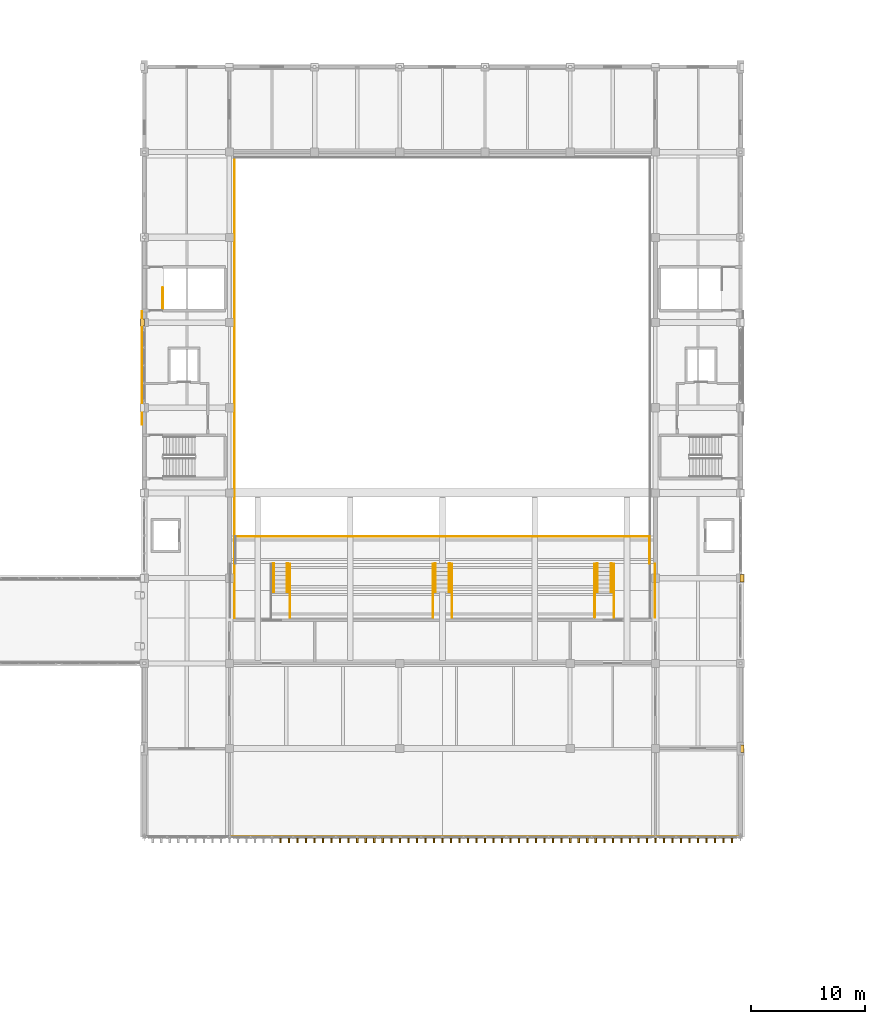
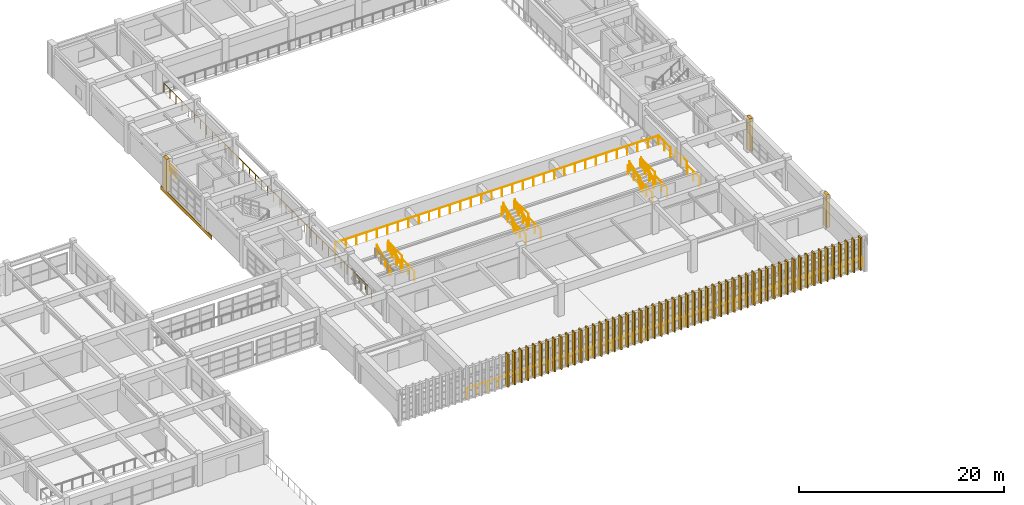
# One storey, part 94 of 101: 58 coverings, 30 railings.
"""IFC4 building model written with IfcOpenShell, lengths in metres."""

from ifc_helpers import new_model, si_unit, direction, frame, origin, origin_2d, place, context, subcontext, project, spatial, rectangle, circle, extrude, material, layer, layer_set, type_object, element, save


model = new_model("IFC4")

# Units and contexts
model_context = context("Model", 3, precision=1e-05, world=origin(), true_north=direction((0.0, 1.0)))
body_context = subcontext(model_context, "Body", "Model", "MODEL_VIEW")
ifc_project = project(units=[si_unit("LENGTHUNIT", "METRE"), si_unit("AREAUNIT", "SQUARE_METRE"), si_unit("VOLUMEUNIT", "CUBIC_METRE"), si_unit("PLANEANGLEUNIT", "RADIAN"), si_unit("MASSUNIT", "GRAM", prefix="KILO")], contexts=[model_context])

# Site, building, storey
site_placement = place(None, origin())
site = spatial("IfcSite", under=ifc_project, at=site_placement, CompositionType="ELEMENT")
building_placement = place(site_placement, origin())
building = spatial("IfcBuilding", under=site, at=building_placement, Name="Qasida Concert Hall", CompositionType="ELEMENT")
storey_placement = place(building_placement, frame((0.0, 0.0, 13.199951171875)))
storey = spatial("IfcBuildingStorey", under=building, at=storey_placement, Name="L03", CompositionType="ELEMENT", Elevation=13.199951171875)

# Coverings
ifc_material_1 = material(Name="Glazed Levantine geometric terracotta spandrel relief", Category="masonry")
ifc_layer_1 = layer(ifc_material_1, 0.050048828125, Name="Glazed Levantine geometric terracotta spandrel relief")
ifc_layer_set_1 = layer_set([ifc_layer_1], Name="Glazed Levantine geometric terracotta spandrel relief")
covering_type_1 = type_object("IfcCoveringType", Name="CV-CL-1", PredefinedType="CLADDING", material=ifc_layer_set_1)
covering_placement = place(storey_placement, frame((52.300048828125, 56.0, -0.47509765625), z_axis=(0.0, 0.0, 1.0), x_axis=(1.0, 0.0, 0.0)))
element("IfcCovering", 1, at=covering_placement, inside=storey, type_object=covering_type_1, Name="L03 terracotta spandrel frieze W03", PredefinedType="CLADDING", context=body_context, shape_type="SweptSolid", body=[
    extrude(rectangle(XDim=0.050048828125, YDim=10.0, at=origin_2d()), origin(), (0.0, 0.0, 1.0), 0.449951171875),
])
ifc_material_2 = material(Name="Fluted ochre Lebanese limestone and patinated bronze fin", Category="masonry")
ifc_layer_2 = layer(ifc_material_2, 0.52001953125, Name="Fluted ochre Lebanese limestone and patinated bronze fin")
ifc_layer_set_2 = layer_set([ifc_layer_2], Name="Fluted ochre Lebanese limestone and patinated bronze fin")
covering_type_2 = type_object("IfcCoveringType", Name="CV-FIN-520", PredefinedType="CLADDING", material=ifc_layer_set_2)
for number, where, z_axis, x_axis, name in (
    (2, (64.5, 14.4599609375, 0.0), (0.0, 0.0, 1.0), (1.0, 0.0, 0.0), "L03 fluted facade fin FN-016"),
    (3, (65.25, 14.4599609375, 0.0), (0.0, 0.0, 1.0), (1.0, 0.0, 0.0), "L03 fluted facade fin FN-017"),
    (4, (66.0, 14.4599609375, 0.0), (0.0, 0.0, 1.0), (1.0, 0.0, 0.0), "L03 fluted facade fin FN-018"),
    (5, (66.75, 14.4599609375, 0.0), (0.0, 0.0, 1.0), (1.0, 0.0, 0.0), "L03 fluted facade fin FN-019"),
    (6, (67.5, 14.4599609375, 0.0), (0.0, 0.0, 1.0), (1.0, 0.0, 0.0), "L03 fluted facade fin FN-020"),
    (7, (68.25, 14.4599609375, 0.0), (0.0, 0.0, 1.0), (1.0, 0.0, 0.0), "L03 fluted facade fin FN-021"),
    (8, (69.0, 14.4599609375, 0.0), (0.0, 0.0, 1.0), (1.0, 0.0, 0.0), "L03 fluted facade fin FN-022"),
    (9, (69.75, 14.4599609375, 0.0), (0.0, 0.0, 1.0), (1.0, 0.0, 0.0), "L03 fluted facade fin FN-023"),
    (10, (70.5, 14.4599609375, 0.0), (0.0, 0.0, 1.0), (1.0, 0.0, 0.0), "L03 fluted facade fin FN-024"),
    (11, (71.25, 14.4599609375, 0.0), (0.0, 0.0, 1.0), (1.0, 0.0, 0.0), "L03 fluted facade fin FN-025"),
    (12, (72.0, 14.4599609375, 0.0), (0.0, 0.0, 1.0), (1.0, 0.0, 0.0), "L03 fluted facade fin FN-026"),
    (13, (72.75, 14.4599609375, 0.0), (0.0, 0.0, 1.0), (1.0, 0.0, 0.0), "L03 fluted facade fin FN-027"),
    (14, (73.5, 14.4599609375, 0.0), (0.0, 0.0, 1.0), (1.0, 0.0, 0.0), "L03 fluted facade fin FN-028"),
    (15, (74.25, 14.4599609375, 0.0), (0.0, 0.0, 1.0), (1.0, 0.0, 0.0), "L03 fluted facade fin FN-029"),
    (16, (75.0, 14.4599609375, 0.0), (0.0, 0.0, 1.0), (1.0, 0.0, 0.0), "L03 fluted facade fin FN-030"),
    (17, (75.75, 14.4599609375, 0.0), (0.0, 0.0, 1.0), (1.0, 0.0, 0.0), "L03 fluted facade fin FN-031"),
    (18, (76.5, 14.4599609375, 0.0), (0.0, 0.0, 1.0), (1.0, 0.0, 0.0), "L03 fluted facade fin FN-032"),
    (19, (77.25, 14.4599609375, 0.0), (0.0, 0.0, 1.0), (1.0, 0.0, 0.0), "L03 fluted facade fin FN-033"),
    (20, (78.0, 14.4599609375, 0.0), (0.0, 0.0, 1.0), (1.0, 0.0, 0.0), "L03 fluted facade fin FN-034"),
    (21, (78.75, 14.4599609375, 0.0), (0.0, 0.0, 1.0), (1.0, 0.0, 0.0), "L03 fluted facade fin FN-035"),
    (22, (79.5, 14.4599609375, 0.0), (0.0, 0.0, 1.0), (1.0, 0.0, 0.0), "L03 fluted facade fin FN-036"),
    (23, (80.25, 14.4599609375, 0.0), (0.0, 0.0, 1.0), (1.0, 0.0, 0.0), "L03 fluted facade fin FN-037"),
    (24, (81.0, 14.4599609375, 0.0), (0.0, 0.0, 1.0), (1.0, 0.0, 0.0), "L03 fluted facade fin FN-038"),
    (25, (81.75, 14.4599609375, 0.0), (0.0, 0.0, 1.0), (1.0, 0.0, 0.0), "L03 fluted facade fin FN-039"),
    (26, (82.5, 14.4599609375, 0.0), (0.0, 0.0, 1.0), (1.0, 0.0, 0.0), "L03 fluted facade fin FN-040"),
    (27, (83.25, 14.4599609375, 0.0), (0.0, 0.0, 1.0), (1.0, 0.0, 0.0), "L03 fluted facade fin FN-041"),
    (28, (84.0, 14.4599609375, 0.0), (0.0, 0.0, 1.0), (1.0, 0.0, 0.0), "L03 fluted facade fin FN-042"),
    (29, (84.75, 14.4599609375, 0.0), (0.0, 0.0, 1.0), (1.0, 0.0, 0.0), "L03 fluted facade fin FN-043"),
    (30, (85.5, 14.4599609375, 0.0), (0.0, 0.0, 1.0), (1.0, 0.0, 0.0), "L03 fluted facade fin FN-044"),
    (31, (86.25, 14.4599609375, 0.0), (0.0, 0.0, 1.0), (1.0, 0.0, 0.0), "L03 fluted facade fin FN-045"),
    (32, (87.0, 14.4599609375, 0.0), (0.0, 0.0, 1.0), (1.0, 0.0, 0.0), "L03 fluted facade fin FN-046"),
    (33, (87.75, 14.4599609375, 0.0), (0.0, 0.0, 1.0), (1.0, 0.0, 0.0), "L03 fluted facade fin FN-047"),
    (34, (88.5, 14.4599609375, 0.0), (0.0, 0.0, 1.0), (1.0, 0.0, 0.0), "L03 fluted facade fin FN-048"),
    (35, (89.25, 14.4599609375, 0.0), (0.0, 0.0, 1.0), (1.0, 0.0, 0.0), "L03 fluted facade fin FN-049"),
    (36, (90.0, 14.4599609375, 0.0), (0.0, 0.0, 1.0), (1.0, 0.0, 0.0), "L03 fluted facade fin FN-050"),
    (37, (90.75, 14.4599609375, 0.0), (0.0, 0.0, 1.0), (1.0, 0.0, 0.0), "L03 fluted facade fin FN-051"),
    (38, (91.5, 14.4599609375, 0.0), (0.0, 0.0, 1.0), (1.0, 0.0, 0.0), "L03 fluted facade fin FN-052"),
    (39, (92.25, 14.4599609375, 0.0), (0.0, 0.0, 1.0), (1.0, 0.0, 0.0), "L03 fluted facade fin FN-053"),
    (40, (93.0, 14.4599609375, 0.0), (0.0, 0.0, 1.0), (1.0, 0.0, 0.0), "L03 fluted facade fin FN-054"),
    (41, (93.75, 14.4599609375, 0.0), (0.0, 0.0, 1.0), (1.0, 0.0, 0.0), "L03 fluted facade fin FN-055"),
    (42, (94.5, 14.4599609375, 0.0), (0.0, 0.0, 1.0), (1.0, 0.0, 0.0), "L03 fluted facade fin FN-056"),
    (43, (95.25, 14.4599609375, 0.0), (0.0, 0.0, 1.0), (1.0, 0.0, 0.0), "L03 fluted facade fin FN-057"),
    (44, (96.0, 14.4599609375, 0.0), (0.0, 0.0, 1.0), (1.0, 0.0, 0.0), "L03 fluted facade fin FN-058"),
    (45, (96.75, 14.4599609375, 0.0), (0.0, 0.0, 1.0), (1.0, 0.0, 0.0), "L03 fluted facade fin FN-059"),
    (46, (97.5, 14.4599609375, 0.0), (0.0, 0.0, 1.0), (1.0, 0.0, 0.0), "L03 fluted facade fin FN-060"),
    (47, (98.25, 14.4599609375, 0.0), (0.0, 0.0, 1.0), (1.0, 0.0, 0.0), "L03 fluted facade fin FN-061"),
    (48, (99.0, 14.4599609375, 0.0), (0.0, 0.0, 1.0), (1.0, 0.0, 0.0), "L03 fluted facade fin FN-062"),
    (49, (99.75, 14.4599609375, 0.0), (0.0, 0.0, 1.0), (1.0, 0.0, 0.0), "L03 fluted facade fin FN-063"),
    (50, (100.5, 14.4599609375, 0.0), (0.0, 0.0, 1.0), (1.0, 0.0, 0.0), "L03 fluted facade fin FN-064"),
    (51, (101.25, 14.4599609375, 0.0), (0.0, 0.0, 1.0), (1.0, 0.0, 0.0), "L03 fluted facade fin FN-065"),
    (52, (102.0, 14.4599609375, 0.0), (0.0, 0.0, 1.0), (1.0, 0.0, 0.0), "L03 fluted facade fin FN-066"),
    (53, (102.75, 14.4599609375, 0.0), (0.0, 0.0, 1.0), (1.0, 0.0, 0.0), "L03 fluted facade fin FN-067"),
    (54, (103.5, 14.4599609375, 0.0), (0.0, 0.0, 1.0), (1.0, 0.0, 0.0), "L03 fluted facade fin FN-068"),
    (55, (104.25, 14.4599609375, 0.0), (0.0, 0.0, 1.0), (1.0, 0.0, 0.0), "L03 fluted facade fin FN-069"),
):
    element("IfcCovering", number, at=place(storey_placement, frame(where, z_axis=z_axis, x_axis=x_axis)), inside=storey, type_object=covering_type_2, Name=name, PredefinedType="CLADDING", context=body_context, shape_type="SweptSolid", body=[
        extrude(rectangle(XDim=0.139892578125, YDim=0.52001953125, at=origin_2d()), origin(), (0.0, 0.0, 1.0), 3.89990234375),
    ])
ifc_material_3 = material(Name="Projecting fluted Lebanese limestone Art Deco pilaster", Category="masonry")
ifc_layer_3 = layer(ifc_material_3, 0.35009765625, Name="Projecting fluted Lebanese limestone Art Deco pilaster")
ifc_layer_set_3 = layer_set([ifc_layer_3], Name="Projecting fluted Lebanese limestone Art Deco pilaster")
covering_type_3 = type_object("IfcCoveringType", Name="CV-PIL-650", PredefinedType="CLADDING", material=ifc_layer_set_3)
for number, where, z_axis, x_axis, name in (
    (56, (105.135009765625, 22.5, 0.0), (0.0, 0.0, 1.0), (1.0, 0.0, 0.0), "L03 fluted limestone pilaster 0011"),
    (57, (105.135009765625, 37.5, 0.0), (0.0, 0.0, 1.0), (1.0, 0.0, 0.0), "L03 fluted limestone pilaster 0025"),
    (58, (52.364990234375, 60.0, 0.0), (0.0, 0.0, 1.0), (1.0, 0.0, 0.0), "L03 fluted limestone pilaster 0060"),
):
    element("IfcCovering", number, at=place(storey_placement, frame(where, z_axis=z_axis, x_axis=x_axis)), inside=storey, type_object=covering_type_3, Name=name, PredefinedType="CLADDING", context=body_context, shape_type="SweptSolid", body=[
        extrude(rectangle(XDim=0.35009765625, YDim=0.64990234375, at=origin_2d()), origin(), (0.0, 0.0, 1.0), 3.89990234375),
    ])

# Railings
ifc_material_4 = material(Name="Carved Lebanese limestone and bronze top rail", Category="masonry")
ifc_layer_4 = layer(ifc_material_4, 0.10009765625, Name="Carved Lebanese limestone and bronze top rail")
ifc_layer_set_4 = layer_set([ifc_layer_4], Name="Carved Lebanese limestone and bronze top rail")
railing_type_1 = type_object("IfcRailingType", Name="RL-BAL-1100", PredefinedType="BALUSTRADE", material=ifc_layer_set_4)
railing_1_placement = place(storey_placement, frame((60.5400390625, 41.159912109375, 1.199951171875)))
element("IfcRailing", 59, at=railing_1_placement, inside=storey, type_object=railing_type_1, Name="L03 Symphony second balcony front rail 0092", PredefinedType="BALUSTRADE", context=body_context, shape_type="SweptSolid", body=[
    extrude(circle(Radius=0.02392578125, at=origin_2d()), frame((0.0, 0.0, 1.09619140625), z_axis=(1.0, 0.0, 0.0), x_axis=(0.0, 1.0, 0.0)), (0.0, 0.0, 1.0), 36.419921875),
    extrude(circle(Radius=0.02099609375, at=origin_2d()), origin(), (0.0, 0.0, 1.0), 1.072021484375),
    extrude(circle(Radius=0.02099609375, at=origin_2d()), frame((1.1748046875, 0.0, 0.0)), (0.0, 0.0, 1.0), 1.072021484375),
    extrude(circle(Radius=0.02099609375, at=origin_2d()), frame((2.349609375, 0.0, 0.0)), (0.0, 0.0, 1.0), 1.072021484375),
    extrude(circle(Radius=0.02099609375, at=origin_2d()), frame((3.5244140625, 0.0, 0.0)), (0.0, 0.0, 1.0), 1.072021484375),
    extrude(circle(Radius=0.02099609375, at=origin_2d()), frame((4.699462890625, 0.0, 0.0)), (0.0, 0.0, 1.0), 1.072021484375),
    extrude(circle(Radius=0.02099609375, at=origin_2d()), frame((5.874267578125, 0.0, 0.0)), (0.0, 0.0, 1.0), 1.072021484375),
    extrude(circle(Radius=0.02099609375, at=origin_2d()), frame((7.049072265625, 0.0, 0.0)), (0.0, 0.0, 1.0), 1.072021484375),
    extrude(circle(Radius=0.02099609375, at=origin_2d()), frame((8.223876953125, 0.0, 0.0)), (0.0, 0.0, 1.0), 1.072021484375),
    extrude(circle(Radius=0.02099609375, at=origin_2d()), frame((9.398681640625, 0.0, 0.0)), (0.0, 0.0, 1.0), 1.072021484375),
    extrude(circle(Radius=0.02099609375, at=origin_2d()), frame((10.573486328125, 0.0, 0.0)), (0.0, 0.0, 1.0), 1.072021484375),
    extrude(circle(Radius=0.02099609375, at=origin_2d()), frame((11.748291015625, 0.0, 0.0)), (0.0, 0.0, 1.0), 1.072021484375),
    extrude(circle(Radius=0.02099609375, at=origin_2d()), frame((12.923095703125, 0.0, 0.0)), (0.0, 0.0, 1.0), 1.072021484375),
    extrude(circle(Radius=0.02099609375, at=origin_2d()), frame((14.09814453125, 0.0, 0.0)), (0.0, 0.0, 1.0), 1.072021484375),
    extrude(circle(Radius=0.02099609375, at=origin_2d()), frame((15.27294921875, 0.0, 0.0)), (0.0, 0.0, 1.0), 1.072021484375),
    extrude(circle(Radius=0.02099609375, at=origin_2d()), frame((16.44775390625, 0.0, 0.0)), (0.0, 0.0, 1.0), 1.072021484375),
    extrude(circle(Radius=0.02099609375, at=origin_2d()), frame((17.62255859375, 0.0, 0.0)), (0.0, 0.0, 1.0), 1.072021484375),
    extrude(circle(Radius=0.02099609375, at=origin_2d()), frame((18.79736328125, 0.0, 0.0)), (0.0, 0.0, 1.0), 1.072021484375),
    extrude(circle(Radius=0.02099609375, at=origin_2d()), frame((19.97216796875, 0.0, 0.0)), (0.0, 0.0, 1.0), 1.072021484375),
    extrude(circle(Radius=0.02099609375, at=origin_2d()), frame((21.14697265625, 0.0, 0.0)), (0.0, 0.0, 1.0), 1.072021484375),
    extrude(circle(Radius=0.02099609375, at=origin_2d()), frame((22.32177734375, 0.0, 0.0)), (0.0, 0.0, 1.0), 1.072021484375),
    extrude(circle(Radius=0.02099609375, at=origin_2d()), frame((23.496826171875, 0.0, 0.0)), (0.0, 0.0, 1.0), 1.072021484375),
    extrude(circle(Radius=0.02099609375, at=origin_2d()), frame((24.671630859375, 0.0, 0.0)), (0.0, 0.0, 1.0), 1.072021484375),
    extrude(circle(Radius=0.02099609375, at=origin_2d()), frame((25.846435546875, 0.0, 0.0)), (0.0, 0.0, 1.0), 1.072021484375),
    extrude(circle(Radius=0.02099609375, at=origin_2d()), frame((27.021240234375, 0.0, 0.0)), (0.0, 0.0, 1.0), 1.072021484375),
    extrude(circle(Radius=0.02099609375, at=origin_2d()), frame((28.196044921875, 0.0, 0.0)), (0.0, 0.0, 1.0), 1.072021484375),
    extrude(circle(Radius=0.02099609375, at=origin_2d()), frame((29.370849609375, 0.0, 0.0)), (0.0, 0.0, 1.0), 1.072021484375),
    extrude(circle(Radius=0.02099609375, at=origin_2d()), frame((30.545654296875, 0.0, 0.0)), (0.0, 0.0, 1.0), 1.072021484375),
    extrude(circle(Radius=0.02099609375, at=origin_2d()), frame((31.720458984375, 0.0, 0.0)), (0.0, 0.0, 1.0), 1.072021484375),
    extrude(circle(Radius=0.02099609375, at=origin_2d()), frame((32.8955078125, 0.0, 0.0)), (0.0, 0.0, 1.0), 1.072021484375),
    extrude(circle(Radius=0.02099609375, at=origin_2d()), frame((34.0703125, 0.0, 0.0)), (0.0, 0.0, 1.0), 1.072021484375),
    extrude(circle(Radius=0.02099609375, at=origin_2d()), frame((35.2451171875, 0.0, 0.0)), (0.0, 0.0, 1.0), 1.072021484375),
    extrude(circle(Radius=0.02099609375, at=origin_2d()), frame((36.419921875, 0.0, 0.0)), (0.0, 0.0, 1.0), 1.072021484375),
])
railing_2_placement = place(storey_placement, frame((96.9599609375, 41.159912109375, 1.199951171875)))
element("IfcRailing", 60, at=railing_2_placement, inside=storey, type_object=railing_type_1, Name="L03 Symphony second balcony front rail 0093", PredefinedType="BALUSTRADE", context=body_context, shape_type="SweptSolid", body=[
    extrude(circle(Radius=0.02392578125, at=origin_2d()), frame((0.0, 0.0, 1.09619140625), z_axis=(0.0, -1.0, 0.0), x_axis=(1.0, 0.0, 0.0)), (0.0, 0.0, 1.0), 2.35986328125),
    extrude(circle(Radius=0.02099609375, at=origin_2d()), origin(), (0.0, 0.0, 1.0), 1.072021484375),
    extrude(circle(Radius=0.02099609375, at=origin_2d()), frame((0.0, -1.179931640625, 0.0)), (0.0, 0.0, 1.0), 1.072021484375),
    extrude(circle(Radius=0.02099609375, at=origin_2d()), frame((0.0, -2.35986328125, 0.0)), (0.0, 0.0, 1.0), 1.072021484375),
])
ifc_material_5 = material(Name="Patinated architectural bronze and laminated glass infill", Category="glass")
ifc_layer_5 = layer(ifc_material_5, 0.080078125, Name="Patinated architectural bronze and laminated glass infill")
ifc_layer_set_5 = layer_set([ifc_layer_5], Name="Patinated architectural bronze and laminated glass infill")
railing_type_2 = type_object("IfcRailingType", Name="RL-GRD-1100", PredefinedType="GUARDRAIL", material=ifc_layer_set_5)
railing_3_placement = place(storey_placement, frame((60.1201171875, 14.760009765625, 0.0)))
element("IfcRailing", 61, at=railing_3_placement, inside=storey, type_object=railing_type_2, Name="L03 South overhang central foyer guard 0018", PredefinedType="GUARDRAIL", context=body_context, shape_type="SweptSolid", body=[
    extrude(circle(Radius=0.02392578125, at=origin_2d()), frame((0.0, 0.0, 1.09619140625), z_axis=(1.0, 0.0, 0.0), x_axis=(0.0, 1.0, 0.0)), (0.0, 0.0, 1.0), 37.259765625),
    extrude(circle(Radius=0.02099609375, at=origin_2d()), origin(), (0.0, 0.0, 1.0), 1.072021484375),
    extrude(circle(Radius=0.02099609375, at=origin_2d()), frame((1.164306640625, 0.0, 0.0)), (0.0, 0.0, 1.0), 1.072021484375),
    extrude(circle(Radius=0.02099609375, at=origin_2d()), frame((2.32861328125, 0.0, 0.0)), (0.0, 0.0, 1.0), 1.072021484375),
    extrude(circle(Radius=0.02099609375, at=origin_2d()), frame((3.4931640625, 0.0, 0.0)), (0.0, 0.0, 1.0), 1.072021484375),
    extrude(circle(Radius=0.02099609375, at=origin_2d()), frame((4.657470703125, 0.0, 0.0)), (0.0, 0.0, 1.0), 1.072021484375),
    extrude(circle(Radius=0.02099609375, at=origin_2d()), frame((5.82177734375, 0.0, 0.0)), (0.0, 0.0, 1.0), 1.072021484375),
    extrude(circle(Radius=0.02099609375, at=origin_2d()), frame((6.986328125, 0.0, 0.0)), (0.0, 0.0, 1.0), 1.072021484375),
    extrude(circle(Radius=0.02099609375, at=origin_2d()), frame((8.150634765625, 0.0, 0.0)), (0.0, 0.0, 1.0), 1.072021484375),
    extrude(circle(Radius=0.02099609375, at=origin_2d()), frame((9.31494140625, 0.0, 0.0)), (0.0, 0.0, 1.0), 1.072021484375),
    extrude(circle(Radius=0.02099609375, at=origin_2d()), frame((10.479248046875, 0.0, 0.0)), (0.0, 0.0, 1.0), 1.072021484375),
    extrude(circle(Radius=0.02099609375, at=origin_2d()), frame((11.6435546875, 0.0, 0.0)), (0.0, 0.0, 1.0), 1.072021484375),
    extrude(circle(Radius=0.02099609375, at=origin_2d()), frame((12.80810546875, 0.0, 0.0)), (0.0, 0.0, 1.0), 1.072021484375),
    extrude(circle(Radius=0.02099609375, at=origin_2d()), frame((13.972412109375, 0.0, 0.0)), (0.0, 0.0, 1.0), 1.072021484375),
    extrude(circle(Radius=0.02099609375, at=origin_2d()), frame((15.13671875, 0.0, 0.0)), (0.0, 0.0, 1.0), 1.072021484375),
    extrude(circle(Radius=0.02099609375, at=origin_2d()), frame((16.30126953125, 0.0, 0.0)), (0.0, 0.0, 1.0), 1.072021484375),
    extrude(circle(Radius=0.02099609375, at=origin_2d()), frame((17.465576171875, 0.0, 0.0)), (0.0, 0.0, 1.0), 1.072021484375),
    extrude(circle(Radius=0.02099609375, at=origin_2d()), frame((18.6298828125, 0.0, 0.0)), (0.0, 0.0, 1.0), 1.072021484375),
    extrude(circle(Radius=0.02099609375, at=origin_2d()), frame((19.794189453125, 0.0, 0.0)), (0.0, 0.0, 1.0), 1.072021484375),
    extrude(circle(Radius=0.02099609375, at=origin_2d()), frame((20.95849609375, 0.0, 0.0)), (0.0, 0.0, 1.0), 1.072021484375),
    extrude(circle(Radius=0.02099609375, at=origin_2d()), frame((22.123046875, 0.0, 0.0)), (0.0, 0.0, 1.0), 1.072021484375),
    extrude(circle(Radius=0.02099609375, at=origin_2d()), frame((23.287353515625, 0.0, 0.0)), (0.0, 0.0, 1.0), 1.072021484375),
    extrude(circle(Radius=0.02099609375, at=origin_2d()), frame((24.45166015625, 0.0, 0.0)), (0.0, 0.0, 1.0), 1.072021484375),
    extrude(circle(Radius=0.02099609375, at=origin_2d()), frame((25.6162109375, 0.0, 0.0)), (0.0, 0.0, 1.0), 1.072021484375),
    extrude(circle(Radius=0.02099609375, at=origin_2d()), frame((26.780517578125, 0.0, 0.0)), (0.0, 0.0, 1.0), 1.072021484375),
    extrude(circle(Radius=0.02099609375, at=origin_2d()), frame((27.94482421875, 0.0, 0.0)), (0.0, 0.0, 1.0), 1.072021484375),
    extrude(circle(Radius=0.02099609375, at=origin_2d()), frame((29.109130859375, 0.0, 0.0)), (0.0, 0.0, 1.0), 1.072021484375),
    extrude(circle(Radius=0.02099609375, at=origin_2d()), frame((30.2734375, 0.0, 0.0)), (0.0, 0.0, 1.0), 1.072021484375),
    extrude(circle(Radius=0.02099609375, at=origin_2d()), frame((31.43798828125, 0.0, 0.0)), (0.0, 0.0, 1.0), 1.072021484375),
    extrude(circle(Radius=0.02099609375, at=origin_2d()), frame((32.602294921875, 0.0, 0.0)), (0.0, 0.0, 1.0), 1.072021484375),
    extrude(circle(Radius=0.02099609375, at=origin_2d()), frame((33.7666015625, 0.0, 0.0)), (0.0, 0.0, 1.0), 1.072021484375),
    extrude(circle(Radius=0.02099609375, at=origin_2d()), frame((34.93115234375, 0.0, 0.0)), (0.0, 0.0, 1.0), 1.072021484375),
    extrude(circle(Radius=0.02099609375, at=origin_2d()), frame((36.095458984375, 0.0, 0.0)), (0.0, 0.0, 1.0), 1.072021484375),
    extrude(circle(Radius=0.02099609375, at=origin_2d()), frame((37.259765625, 0.0, 0.0)), (0.0, 0.0, 1.0), 1.072021484375),
])
railing_4_placement = place(storey_placement, frame((97.6201171875, 14.760009765625, 0.0)))
element("IfcRailing", 62, at=railing_4_placement, inside=storey, type_object=railing_type_2, Name="L03 South overhang east foyer guard 0019", PredefinedType="GUARDRAIL", context=body_context, shape_type="SweptSolid", body=[
    extrude(circle(Radius=0.02392578125, at=origin_2d()), frame((0.0, 0.0, 1.09619140625), z_axis=(1.0, 0.0, 0.0), x_axis=(0.0, 1.0, 0.0)), (0.0, 0.0, 1.0), 7.179931640625),
    extrude(circle(Radius=0.02099609375, at=origin_2d()), origin(), (0.0, 0.0, 1.0), 1.072021484375),
    extrude(circle(Radius=0.02099609375, at=origin_2d()), frame((1.19677734375, 0.0, 0.0)), (0.0, 0.0, 1.0), 1.072021484375),
    extrude(circle(Radius=0.02099609375, at=origin_2d()), frame((2.393310546875, 0.0, 0.0)), (0.0, 0.0, 1.0), 1.072021484375),
    extrude(circle(Radius=0.02099609375, at=origin_2d()), frame((3.58984375, 0.0, 0.0)), (0.0, 0.0, 1.0), 1.072021484375),
    extrude(circle(Radius=0.02099609375, at=origin_2d()), frame((4.78662109375, 0.0, 0.0)), (0.0, 0.0, 1.0), 1.072021484375),
    extrude(circle(Radius=0.02099609375, at=origin_2d()), frame((5.9833984375, 0.0, 0.0)), (0.0, 0.0, 1.0), 1.072021484375),
    extrude(circle(Radius=0.02099609375, at=origin_2d()), frame((7.179931640625, 0.0, 0.0)), (0.0, 0.0, 1.0), 1.072021484375),
])
for number, where, name in (
    (63, (65.340087890625, 34.0400390625, 0.400146484375), "L03 L03 tier side guard 0098"),
    (64, (77.909912109375, 34.0400390625, 0.400146484375), "L03 L03 tier side guard 0099"),
    (65, (65.340087890625, 36.43994140625, 0.800048828125), "L03 L03 tier side guard 0100"),
    (66, (77.909912109375, 36.43994140625, 0.800048828125), "L03 L03 tier side guard 0101"),
    (67, (79.590087890625, 34.0400390625, 0.400146484375), "L03 L03 tier side guard 0102"),
    (68, (92.159912109375, 34.0400390625, 0.400146484375), "L03 L03 tier side guard 0103"),
    (69, (79.590087890625, 36.43994140625, 0.800048828125), "L03 L03 tier side guard 0104"),
    (70, (92.159912109375, 36.43994140625, 0.800048828125), "L03 L03 tier side guard 0105"),
    (71, (93.840087890625, 34.0400390625, 0.400146484375), "L03 L03 tier side guard 0106"),
    (72, (97.4599609375, 34.0400390625, 0.400146484375), "L03 L03 tier side guard 0107"),
    (73, (93.840087890625, 36.43994140625, 0.800048828125), "L03 L03 tier side guard 0108"),
    (74, (97.4599609375, 36.43994140625, 0.800048828125), "L03 L03 tier side guard 0109"),
):
    element("IfcRailing", number, at=place(storey_placement, frame(where)), inside=storey, type_object=railing_type_2, Name=name, PredefinedType="GUARDRAIL", context=body_context, shape_type="SweptSolid", body=[
        extrude(circle(Radius=0.02392578125, at=origin_2d()), frame((0.0, 0.0, 1.09619140625), z_axis=(0.0, 1.0, 0.0), x_axis=(-1.0, 0.0, 0.0)), (0.0, 0.0, 1.0), 2.320068359375),
        extrude(circle(Radius=0.02099609375, at=origin_2d()), origin(), (0.0, 0.0, 1.0), 1.072021484375),
        extrude(circle(Radius=0.02099609375, at=origin_2d()), frame((0.0, 1.16015625, 0.0)), (0.0, 0.0, 1.0), 1.072021484375),
        extrude(circle(Radius=0.02099609375, at=origin_2d()), frame((0.0, 2.320068359375, 0.0)), (0.0, 0.0, 1.0), 1.072021484375),
    ])
railing_5_placement = place(storey_placement, frame((60.4599609375, 34.0, 0.0)))
element("IfcRailing", 75, at=railing_5_placement, inside=storey, type_object=railing_type_2, Name="L03 Symphony L03 gallery guardrail 0110", PredefinedType="GUARDRAIL", context=body_context, shape_type="SweptSolid", body=[
    extrude(circle(Radius=0.02392578125, at=origin_2d()), frame((0.0, 0.0, 1.09619140625), z_axis=(0.0, 1.0, 0.0), x_axis=(-1.0, 0.0, 0.0)), (0.0, 0.0, 1.0), 40.5400390625),
    extrude(circle(Radius=0.02099609375, at=origin_2d()), origin(), (0.0, 0.0, 1.0), 1.072021484375),
    extrude(circle(Radius=0.02099609375, at=origin_2d()), frame((0.0, 1.1923828125, 0.0)), (0.0, 0.0, 1.0), 1.072021484375),
    extrude(circle(Radius=0.02099609375, at=origin_2d()), frame((0.0, 2.384765625, 0.0)), (0.0, 0.0, 1.0), 1.072021484375),
    extrude(circle(Radius=0.02099609375, at=origin_2d()), frame((0.0, 3.5771484375, 0.0)), (0.0, 0.0, 1.0), 1.072021484375),
    extrude(circle(Radius=0.02099609375, at=origin_2d()), frame((0.0, 4.76953125, 0.0)), (0.0, 0.0, 1.0), 1.072021484375),
    extrude(circle(Radius=0.02099609375, at=origin_2d()), frame((0.0, 5.961669921875, 0.0)), (0.0, 0.0, 1.0), 1.072021484375),
    extrude(circle(Radius=0.02099609375, at=origin_2d()), frame((0.0, 7.154052734375, 0.0)), (0.0, 0.0, 1.0), 1.072021484375),
    extrude(circle(Radius=0.02099609375, at=origin_2d()), frame((0.0, 8.346435546875, 0.0)), (0.0, 0.0, 1.0), 1.072021484375),
    extrude(circle(Radius=0.02099609375, at=origin_2d()), frame((0.0, 9.538818359375, 0.0)), (0.0, 0.0, 1.0), 1.072021484375),
    extrude(circle(Radius=0.02099609375, at=origin_2d()), frame((0.0, 10.731201171875, 0.0)), (0.0, 0.0, 1.0), 1.072021484375),
    extrude(circle(Radius=0.02099609375, at=origin_2d()), frame((0.0, 11.923583984375, 0.0)), (0.0, 0.0, 1.0), 1.072021484375),
    extrude(circle(Radius=0.02099609375, at=origin_2d()), frame((0.0, 13.115966796875, 0.0)), (0.0, 0.0, 1.0), 1.072021484375),
    extrude(circle(Radius=0.02099609375, at=origin_2d()), frame((0.0, 14.308349609375, 0.0)), (0.0, 0.0, 1.0), 1.072021484375),
    extrude(circle(Radius=0.02099609375, at=origin_2d()), frame((0.0, 15.50048828125, 0.0)), (0.0, 0.0, 1.0), 1.072021484375),
    extrude(circle(Radius=0.02099609375, at=origin_2d()), frame((0.0, 16.69287109375, 0.0)), (0.0, 0.0, 1.0), 1.072021484375),
    extrude(circle(Radius=0.02099609375, at=origin_2d()), frame((0.0, 17.88525390625, 0.0)), (0.0, 0.0, 1.0), 1.072021484375),
    extrude(circle(Radius=0.02099609375, at=origin_2d()), frame((0.0, 19.07763671875, 0.0)), (0.0, 0.0, 1.0), 1.072021484375),
    extrude(circle(Radius=0.02099609375, at=origin_2d()), frame((0.0, 20.27001953125, 0.0)), (0.0, 0.0, 1.0), 1.072021484375),
    extrude(circle(Radius=0.02099609375, at=origin_2d()), frame((0.0, 21.46240234375, 0.0)), (0.0, 0.0, 1.0), 1.072021484375),
    extrude(circle(Radius=0.02099609375, at=origin_2d()), frame((0.0, 22.65478515625, 0.0)), (0.0, 0.0, 1.0), 1.072021484375),
    extrude(circle(Radius=0.02099609375, at=origin_2d()), frame((0.0, 23.84716796875, 0.0)), (0.0, 0.0, 1.0), 1.072021484375),
    extrude(circle(Radius=0.02099609375, at=origin_2d()), frame((0.0, 25.03955078125, 0.0)), (0.0, 0.0, 1.0), 1.072021484375),
    extrude(circle(Radius=0.02099609375, at=origin_2d()), frame((0.0, 26.231689453125, 0.0)), (0.0, 0.0, 1.0), 1.072021484375),
    extrude(circle(Radius=0.02099609375, at=origin_2d()), frame((0.0, 27.424072265625, 0.0)), (0.0, 0.0, 1.0), 1.072021484375),
    extrude(circle(Radius=0.02099609375, at=origin_2d()), frame((0.0, 28.616455078125, 0.0)), (0.0, 0.0, 1.0), 1.072021484375),
    extrude(circle(Radius=0.02099609375, at=origin_2d()), frame((0.0, 29.808837890625, 0.0)), (0.0, 0.0, 1.0), 1.072021484375),
    extrude(circle(Radius=0.02099609375, at=origin_2d()), frame((0.0, 31.001220703125, 0.0)), (0.0, 0.0, 1.0), 1.072021484375),
    extrude(circle(Radius=0.02099609375, at=origin_2d()), frame((0.0, 32.193603515625, 0.0)), (0.0, 0.0, 1.0), 1.072021484375),
    extrude(circle(Radius=0.02099609375, at=origin_2d()), frame((0.0, 33.385986328125, 0.0)), (0.0, 0.0, 1.0), 1.072021484375),
    extrude(circle(Radius=0.02099609375, at=origin_2d()), frame((0.0, 34.578369140625, 0.0)), (0.0, 0.0, 1.0), 1.072021484375),
    extrude(circle(Radius=0.02099609375, at=origin_2d()), frame((0.0, 35.7705078125, 0.0)), (0.0, 0.0, 1.0), 1.072021484375),
    extrude(circle(Radius=0.02099609375, at=origin_2d()), frame((0.0, 36.962890625, 0.0)), (0.0, 0.0, 1.0), 1.072021484375),
    extrude(circle(Radius=0.02099609375, at=origin_2d()), frame((0.0, 38.1552734375, 0.0)), (0.0, 0.0, 1.0), 1.072021484375),
    extrude(circle(Radius=0.02099609375, at=origin_2d()), frame((0.0, 39.34765625, 0.0)), (0.0, 0.0, 1.0), 1.072021484375),
    extrude(circle(Radius=0.02099609375, at=origin_2d()), frame((0.0, 40.5400390625, 0.0)), (0.0, 0.0, 1.0), 1.072021484375),
])
railing_6_placement = place(storey_placement, frame((54.1298828125, 61.199951171875, 0.0)))
element("IfcRailing", 76, at=railing_6_placement, inside=storey, type_object=railing_type_2, Name="L03 ST-11 top well guard 1", PredefinedType="GUARDRAIL", context=body_context, shape_type="SweptSolid", body=[
    extrude(circle(Radius=0.02392578125, at=origin_2d()), frame((0.0, 0.0, 1.076171875), z_axis=(0.0, 1.0, 0.0), x_axis=(-1.0, 0.0, 0.0)), (0.0, 0.0, 1.0), 1.880126953125),
    extrude(circle(Radius=0.02099609375, at=origin_2d()), origin(), (0.0, 0.0, 1.0), 1.052001953125),
    extrude(circle(Radius=0.02099609375, at=origin_2d()), frame((0.0, 0.93994140625, 0.0)), (0.0, 0.0, 1.0), 1.052001953125),
    extrude(circle(Radius=0.02099609375, at=origin_2d()), frame((0.0, 1.880126953125, 0.0)), (0.0, 0.0, 1.0), 1.052001953125),
])
for number, where, name in (
    (77, (63.85009765625, 36.280029296875, 0.150146484375), "Vomitory stair ST-V04 guard L"),
    (78, (65.14990234375, 36.280029296875, 0.150146484375), "Vomitory stair ST-V04 guard R"),
    (79, (92.35009765625, 36.280029296875, 0.150146484375), "Vomitory stair ST-V05 guard L"),
    (80, (93.64990234375, 36.280029296875, 0.150146484375), "Vomitory stair ST-V05 guard R"),
    (81, (78.10009765625, 36.280029296875, 0.150146484375), "Vomitory stair ST-V06 guard L"),
    (82, (79.39990234375, 36.280029296875, 0.150146484375), "Vomitory stair ST-V06 guard R"),
):
    element("IfcRailing", number, at=place(storey_placement, frame(where)), inside=storey, type_object=railing_type_2, Name=name, PredefinedType="GUARDRAIL", context=body_context, shape_type="SweptSolid", body=[
        extrude(circle(Radius=0.02392578125, at=origin_2d()), frame((0.0, 0.0, 1.09619140625), z_axis=(0.0, 0.923103379671, 0.384551882638), x_axis=(-1.0, 0.0, 0.0)), (0.0, 0.0, 1.0), 2.72998046875),
        extrude(circle(Radius=0.02099609375, at=origin_2d()), origin(), (0.0, 0.0, 1.0), 1.072021484375),
        extrude(circle(Radius=0.02099609375, at=origin_2d()), frame((0.0, 0.840087890625, 0.349853515625)), (0.0, 0.0, 1.0), 1.072021484375),
        extrude(circle(Radius=0.02099609375, at=origin_2d()), frame((0.0, 1.679931640625, 0.699951171875)), (0.0, 0.0, 1.0), 1.072021484375),
        extrude(circle(Radius=0.02099609375, at=origin_2d()), frame((0.0, 2.52001953125, 1.0498046875)), (0.0, 0.0, 1.0), 1.072021484375),
    ])
ifc_material_6 = material(Name="Patinated tubular architectural bronze", Category="steel")
ifc_layer_6 = layer(ifc_material_6, 0.050048828125, Name="Patinated tubular architectural bronze")
ifc_layer_set_6 = layer_set([ifc_layer_6], Name="Patinated tubular architectural bronze")
railing_type_3 = type_object("IfcRailingType", Name="RL-HND-900", PredefinedType="HANDRAIL", material=ifc_layer_set_6)
for number, where, name in (
    (83, (63.909912109375, 36.280029296875, 0.150146484375), "Vomitory stair ST-V04 handrail L"),
    (84, (65.090087890625, 36.280029296875, 0.150146484375), "Vomitory stair ST-V04 handrail R"),
    (85, (92.409912109375, 36.280029296875, 0.150146484375), "Vomitory stair ST-V05 handrail L"),
    (86, (93.590087890625, 36.280029296875, 0.150146484375), "Vomitory stair ST-V05 handrail R"),
    (87, (78.159912109375, 36.280029296875, 0.150146484375), "Vomitory stair ST-V06 handrail L"),
    (88, (79.340087890625, 36.280029296875, 0.150146484375), "Vomitory stair ST-V06 handrail R"),
):
    element("IfcRailing", number, at=place(storey_placement, frame(where)), inside=storey, type_object=railing_type_3, Name=name, PredefinedType="HANDRAIL", context=body_context, shape_type="SweptSolid", body=[
        extrude(circle(Radius=0.02392578125, at=origin_2d()), frame((0.0, 0.0, 0.8759765625), z_axis=(0.0, 0.923103379671, 0.384551882638), x_axis=(-1.0, 0.0, 0.0)), (0.0, 0.0, 1.0), 2.72998046875),
        extrude(circle(Radius=0.02099609375, at=origin_2d()), origin(), (0.0, 0.0, 1.0), 0.851806640625),
        extrude(circle(Radius=0.02099609375, at=origin_2d()), frame((0.0, 0.840087890625, 0.349853515625)), (0.0, 0.0, 1.0), 0.851806640625),
        extrude(circle(Radius=0.02099609375, at=origin_2d()), frame((0.0, 1.679931640625, 0.699951171875)), (0.0, 0.0, 1.0), 0.851806640625),
        extrude(circle(Radius=0.02099609375, at=origin_2d()), frame((0.0, 2.52001953125, 1.0498046875)), (0.0, 0.0, 1.0), 0.851806640625),
    ])

save(model, "model.ifc")
